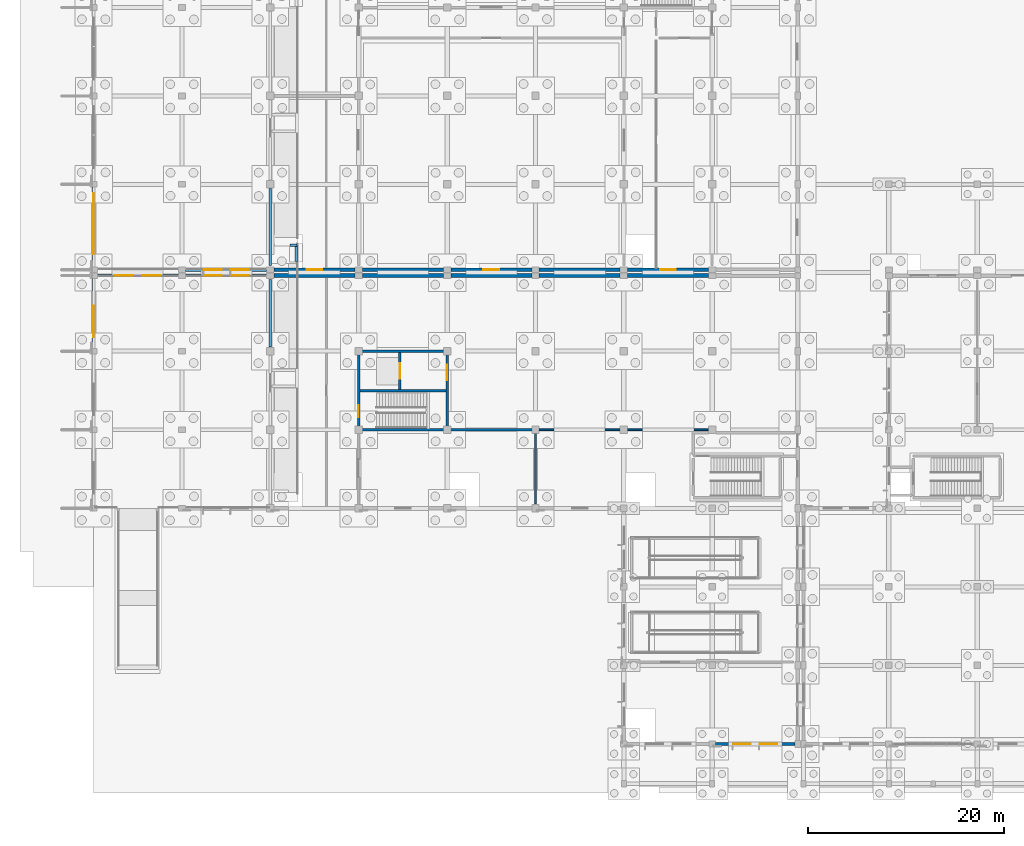
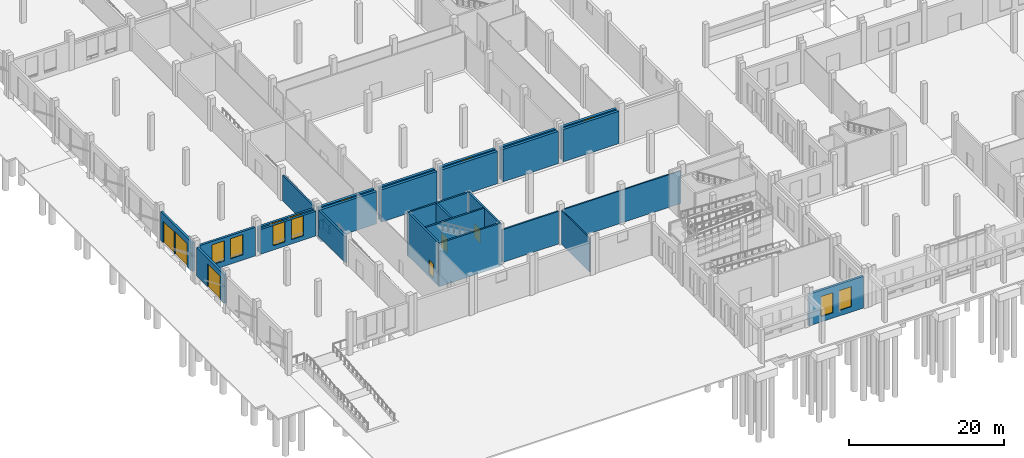
# One storey, part 56 of 99: 29 walls, 11 windows, 6 doors, 17 openings.
"""IFC4 building model written with IfcOpenShell, lengths in metres."""

from ifc_helpers import new_model, si_unit, direction, frame, frame_2d, origin, place, context, subcontext, project, spatial, rectangle, extrude, material, layer, layer_set, type_object, element, fill, save


model = new_model("IFC4")

# Units and contexts
model_context = context("Model", 3, precision=1e-05, world=origin(), true_north=direction((0.0, 1.0)))
body_context = subcontext(model_context, "Body", "Model", "MODEL_VIEW")
ifc_project = project(units=[si_unit("LENGTHUNIT", "METRE"), si_unit("AREAUNIT", "SQUARE_METRE"), si_unit("VOLUMEUNIT", "CUBIC_METRE"), si_unit("PLANEANGLEUNIT", "RADIAN"), si_unit("MASSUNIT", "GRAM", prefix="KILO")], contexts=[model_context])

# Site, building, storey
site_placement = place(None, origin())
site = spatial("IfcSite", under=ifc_project, at=site_placement, CompositionType="ELEMENT")
building_placement = place(site_placement, origin())
building = spatial("IfcBuilding", under=site, at=building_placement, Name="Zacnel Wholesale Market", CompositionType="ELEMENT")
storey_placement = place(building_placement, origin())
storey = spatial("IfcBuildingStorey", under=building, at=storey_placement, Name="L01", CompositionType="ELEMENT", Elevation=0.0)

# Walls
ifc_material_1 = material(Name="Concrete C40/50", Category="concrete")
ifc_layer_1 = layer(ifc_material_1, 0.2548828125)
ifc_layer_set_1 = layer_set([ifc_layer_1], Name="Concrete C40/50")
wall_type_1 = type_object("IfcWallType", Name="WL-COMP-FW250", PredefinedType="STANDARD", material=ifc_layer_set_1)
wall_1_placement = place(storey_placement, frame((18.0, 40.419921875, 1.22509765625), z_axis=(0.0, 0.0, 1.0), x_axis=(0.0, 1.0, 0.0)))
element("IfcWall", 1, at=wall_1_placement, inside=storey, type_object=wall_type_1, Name="EI-120 fire compartment barrier wall 05", PredefinedType="STANDARD", context=body_context, shape_type="SweptSolid", body=[
    extrude(rectangle(XDim=6.860107421875, YDim=0.2548828125, at=frame_2d((3.43017578125, 0.0))), origin(), (0.0, 0.0, 1.0), 4.10498046875),
])
wall_2_placement = place(storey_placement, frame((18.0, 48.719970703125, 1.22509765625), z_axis=(0.0, 0.0, 1.0), x_axis=(0.0, 1.0, 0.0)))
element("IfcWall", 2, at=wall_2_placement, inside=storey, type_object=wall_type_1, Name="EI-120 fire compartment barrier wall 06", PredefinedType="STANDARD", context=body_context, shape_type="SweptSolid", body=[
    extrude(rectangle(XDim=7.860107421875, YDim=0.2548828125, at=frame_2d((3.93017578125, 0.0))), origin(), (0.0, 0.0, 1.0), 3.954833984375),
])
ifc_material_2 = material(Name="Concrete C40/50", Category="concrete")
ifc_layer_2 = layer(ifc_material_2, 0.25)
ifc_layer_set_2 = layer_set([ifc_layer_2], Name="Concrete C40/50")
wall_type_2 = type_object("IfcWallType", Name="WL-CORE-SW250", PredefinedType="SOLIDWALL", material=ifc_layer_set_2)
for number, where, z_axis, x_axis, name in (
    (3, (26.875, 32.0, -0.5), (0.0, 0.0, 1.0), (1.0, 0.0, 0.0), "Core C3 south shear wall L01"),
    (4, (26.875, 40.0, -0.5), (0.0, 0.0, 1.0), (1.0, 0.0, 0.0), "Core C3 north shear wall L01"),
):
    element("IfcWall", number, at=place(storey_placement, frame(where, z_axis=z_axis, x_axis=x_axis)), inside=storey, type_object=wall_type_2, Name=name, PredefinedType="SOLIDWALL", context=body_context, shape_type="SweptSolid", body=[
        extrude(rectangle(XDim=9.25, YDim=0.25, at=frame_2d((4.625, 0.0))), origin(), (0.0, 0.0, 1.0), 6.800048828125),
    ])

# Wall, opening, door
wall_3_placement = place(storey_placement, frame((27.0, 32.125, -0.5), z_axis=(0.0, 0.0, 1.0), x_axis=(0.0, 1.0, 0.0)))
wall_3 = element("IfcWall", 5, at=wall_3_placement, inside=storey, type_object=wall_type_2, Name="Core C3 west shear wall L01", PredefinedType="SOLIDWALL", context=body_context, shape_type="SweptSolid", body=[
    extrude(rectangle(XDim=7.75, YDim=0.25, at=frame_2d((3.875, 0.0))), origin(), (0.0, 0.0, 1.0), 6.800048828125),
])
opening_1_placement = place(wall_3_placement, frame((1.14990234375, 0.0, 0.5)))
opening_1 = element("IfcOpeningElement", 6, at=opening_1_placement, cuts=wall_3, Name="Opening FD-01", PredefinedType="OPENING", context=body_context, shape_type="SweptSolid", body=[
    extrude(rectangle(XDim=1.199951171875, YDim=2.199951171875, at=frame_2d((0.60009765625, 1.10009765625))), frame((0.0, 0.135009765625, 0.0), z_axis=(0.0, -1.0, 0.0), x_axis=(1.0, 0.0, 0.0)), (0.0, 0.0, 1.0), 0.27001953125),
])
ifc_material_3 = material(Name="Galvanized steel", Category="steel")
door_type_1 = type_object("IfcDoorType", Name="DR-FIRE-STAIR-1200", OperationType="NOTDEFINED", PredefinedType="DOOR", material=ifc_material_3)
door_1_placement = place(opening_1_placement, origin())
door_1 = element("IfcDoor", 7, at=door_1_placement, inside=storey, type_object=door_type_1, Name="Protected stair fire door C3 L01", OperationType="SINGLE_SWING_LEFT", OverallHeight=2.199951171875, OverallWidth=1.199951171875, PredefinedType="DOOR", context=body_context, shape_type="SweptSolid", body=[
    extrude(rectangle(XDim=1.199951171875, YDim=2.199951171875, at=frame_2d((0.60009765625, 1.10009765625))), frame((0.0, 0.02490234375, 0.0), z_axis=(0.0, -1.0, 0.0), x_axis=(1.0, 0.0, 0.0)), (0.0, 0.0, 1.0), 0.050048828125),
])
fill(opening_1, door_1)

wall_4_placement = place(storey_placement, frame((36.0, 32.125, -0.5), z_axis=(0.0, 0.0, 1.0), x_axis=(0.0, 1.0, 0.0)))
wall_4 = element("IfcWall", 8, at=wall_4_placement, inside=storey, type_object=wall_type_2, Name="Core C3 east shear wall L01", PredefinedType="SOLIDWALL", context=body_context, shape_type="SweptSolid", body=[
    extrude(rectangle(XDim=7.75, YDim=0.25, at=frame_2d((3.875, 0.0))), origin(), (0.0, 0.0, 1.0), 6.800048828125),
])
opening_2_placement = place(wall_4_placement, frame((4.89990234375, 0.0, 0.5)))
opening_2 = element("IfcOpeningElement", 9, at=opening_2_placement, cuts=wall_4, Name="Opening FD-02", PredefinedType="OPENING", context=body_context, shape_type="SweptSolid", body=[
    extrude(rectangle(XDim=1.60009765625, YDim=2.199951171875, at=frame_2d((0.800048828125, 1.10009765625))), frame((0.0, 0.135009765625, 0.0), z_axis=(0.0, -1.0, 0.0), x_axis=(1.0, 0.0, 0.0)), (0.0, 0.0, 1.0), 0.27001953125),
])
ifc_material_4 = material(Name="Galvanized steel", Category="steel")
door_type_2 = type_object("IfcDoorType", Name="DR-FIRE-LOBBY-1600", OperationType="NOTDEFINED", PredefinedType="DOOR", material=ifc_material_4)
door_2_placement = place(opening_2_placement, origin())
door_2 = element("IfcDoor", 10, at=door_2_placement, inside=storey, type_object=door_type_2, Name="Core lift lobby fire door C3 L01", OperationType="SINGLE_SWING_RIGHT", OverallHeight=2.199951171875, OverallWidth=1.60009765625, PredefinedType="DOOR", context=body_context, shape_type="SweptSolid", body=[
    extrude(rectangle(XDim=1.60009765625, YDim=2.199951171875, at=frame_2d((0.800048828125, 1.10009765625))), frame((0.0, 0.02490234375, 0.0), z_axis=(0.0, -1.0, 0.0), x_axis=(1.0, 0.0, 0.0)), (0.0, 0.0, 1.0), 0.050048828125),
])
fill(opening_2, door_2)

# Wall
wall_5_placement = place(storey_placement, frame((27.125, 35.949951171875, -0.5), z_axis=(0.0, 0.0, 1.0), x_axis=(1.0, 0.0, 0.0)))
element("IfcWall", 11, at=wall_5_placement, inside=storey, type_object=wall_type_2, Name="Core C3 stair-shaft shear wall L01", PredefinedType="SOLIDWALL", context=body_context, shape_type="SweptSolid", body=[
    extrude(rectangle(XDim=8.75, YDim=0.25, at=frame_2d((4.375, 0.0))), origin(), (0.0, 0.0, 1.0), 6.800048828125),
])

# Wall, opening, door
wall_6_placement = place(storey_placement, frame((31.199951171875, 36.074951171875, -0.5), z_axis=(0.0, 0.0, 1.0), x_axis=(0.0, 1.0, 0.0)))
wall_6 = element("IfcWall", 12, at=wall_6_placement, inside=storey, type_object=wall_type_2, Name="Core C3 lift shaft front wall L01", PredefinedType="SOLIDWALL", context=body_context, shape_type="SweptSolid", body=[
    extrude(rectangle(XDim=3.800048828125, YDim=0.25, at=frame_2d((1.89990234375, 0.0))), origin(), (0.0, 0.0, 1.0), 6.800048828125),
])
opening_3_placement = place(wall_6_placement, frame((1.10009765625, 0.0, 0.5)))
opening_3 = element("IfcOpeningElement", 13, at=opening_3_placement, cuts=wall_6, Name="Opening LD-02", PredefinedType="OPENING", context=body_context, shape_type="SweptSolid", body=[
    extrude(rectangle(XDim=1.60009765625, YDim=2.39990234375, at=frame_2d((0.800048828125, 1.199951171875))), frame((0.0, 0.135009765625, 0.0), z_axis=(0.0, -1.0, 0.0), x_axis=(1.0, 0.0, 0.0)), (0.0, 0.0, 1.0), 0.27001953125),
])
ifc_material_5 = material(Name="Galvanized steel", Category="steel")
door_type_3 = type_object("IfcDoorType", Name="DR-LIFT-GOODS-1600", OperationType="NOTDEFINED", PredefinedType="DOOR", material=ifc_material_5)
door_3_placement = place(opening_3_placement, origin())
door_3 = element("IfcDoor", 14, at=door_3_placement, inside=storey, type_object=door_type_3, Name="Lift landing door LG-01 L01", OperationType="SLIDING_TO_LEFT", OverallHeight=2.39990234375, OverallWidth=1.60009765625, PredefinedType="DOOR", context=body_context, shape_type="SweptSolid", body=[
    extrude(rectangle(XDim=1.60009765625, YDim=2.39990234375, at=frame_2d((0.800048828125, 1.199951171875))), frame((0.0, 0.02490234375, 0.0), z_axis=(0.0, -1.0, 0.0), x_axis=(1.0, 0.0, 0.0)), (0.0, 0.0, 1.0), 0.050048828125),
])
fill(opening_3, door_3)

# Walls
wall_7_placement = place(storey_placement, frame((20.64990234375, 49.14990234375, -0.5), z_axis=(0.0, 0.0, 1.0), x_axis=(0.0, 1.0, 0.0)))
element("IfcWall", 15, at=wall_7_placement, inside=storey, type_object=wall_type_2, Name="Accessible ramp RP-01 (RMP-DOCK-S) east plinth wall", PredefinedType="SOLIDWALL", context=body_context, shape_type="SweptSolid", body=[
    extrude(rectangle(XDim=1.650146484375, YDim=0.25, at=frame_2d((0.8251953125, 0.0))), origin(), (0.0, 0.0, 1.0), 1.324951171875),
])
wall_8_placement = place(storey_placement, frame((20.0, 50.800048828125, -0.5), z_axis=(0.0, 0.0, 1.0), x_axis=(1.0, 0.0, 0.0)))
element("IfcWall", 16, at=wall_8_placement, inside=storey, type_object=wall_type_2, Name="Accessible ramp RP-01 (RMP-DOCK-S) north plinth wall", PredefinedType="SOLIDWALL", context=body_context, shape_type="SweptSolid", body=[
    extrude(rectangle(XDim=0.699951171875, YDim=0.25, at=frame_2d((0.35009765625, 0.0))), origin(), (0.0, 0.0, 1.0), 1.324951171875),
])

# Wall, openings, windows
ifc_material_6 = material(Name="Precast concrete C40/50 (insulated sandwich panel)", Category="concrete")
ifc_layer_3 = layer(ifc_material_6, 0.320068359375)
ifc_layer_set_3 = layer_set([ifc_layer_3], Name="Precast concrete C40/50 (insulated sandwich panel)")
wall_type_3 = type_object("IfcWallType", Name="WL-EXT-COLD-320", PredefinedType="SOLIDWALL", material=ifc_layer_set_3)
wall_9_placement = place(storey_placement, frame((0.375, 47.699951171875, 1.22509765625), z_axis=(0.0, 0.0, 1.0), x_axis=(1.0, 0.0, 0.0)))
wall_9 = element("IfcWall", 17, at=wall_9_placement, inside=storey, type_object=wall_type_3, Name="Exterior wall L01-0002", PredefinedType="SOLIDWALL", context=body_context, shape_type="SweptSolid", body=[
    extrude(rectangle(XDim=8.25, YDim=0.320068359375, at=frame_2d((4.125, 0.0))), origin(), (0.0, 0.0, 1.0), 4.514892578125),
])
opening_4_placement = place(wall_9_placement, frame((1.85009765625, 0.0, 0.85009765625)))
opening_4 = element("IfcOpeningElement", 18, at=opening_4_placement, cuts=wall_9, Name="Opening W-03", PredefinedType="OPENING", context=body_context, shape_type="SweptSolid", body=[
    extrude(rectangle(XDim=1.800048828125, YDim=3.14990234375, at=frame_2d((0.89990234375, 1.574951171875))), frame((0.0, 0.169921875, 0.0), z_axis=(0.0, -1.0, 0.0), x_axis=(1.0, 0.0, 0.0)), (0.0, 0.0, 1.0), 0.340087890625),
])
opening_5_placement = place(wall_9_placement, frame((4.60009765625, 0.0, 0.85009765625)))
opening_5 = element("IfcOpeningElement", 19, at=opening_5_placement, cuts=wall_9, Name="Opening W-03", PredefinedType="OPENING", context=body_context, shape_type="SweptSolid", body=[
    extrude(rectangle(XDim=1.800048828125, YDim=3.14990234375, at=frame_2d((0.89990234375, 1.574951171875))), frame((0.0, 0.169921875, 0.0), z_axis=(0.0, -1.0, 0.0), x_axis=(1.0, 0.0, 0.0)), (0.0, 0.0, 1.0), 0.340087890625),
])
ifc_material_7 = material(Name="Laminated hurricane-impact low-E insulated glass", Category="glass")
window_type_1 = type_object("IfcWindowType", Name="WIN-DEC-1800X3150", PartitioningType="DOUBLE_PANEL_VERTICAL", PredefinedType="WINDOW", material=ifc_material_7)
window_1_placement = place(opening_4_placement, origin())
window_1 = element("IfcWindow", 20, at=window_1_placement, inside=storey, type_object=window_type_1, Name="Window L01-0003", OverallHeight=3.14990234375, OverallWidth=1.800048828125, PartitioningType="DOUBLE_PANEL_VERTICAL", PredefinedType="WINDOW", context=body_context, shape_type="SweptSolid", body=[
    extrude(rectangle(XDim=1.800048828125, YDim=3.14990234375, at=frame_2d((0.89990234375, 1.574951171875))), frame((0.0, 0.030029296875, 0.0), z_axis=(0.0, -1.0, 0.0), x_axis=(1.0, 0.0, 0.0)), (0.0, 0.0, 1.0), 0.06005859375),
])
fill(opening_4, window_1)
window_2_placement = place(opening_5_placement, origin())
window_2 = element("IfcWindow", 21, at=window_2_placement, inside=storey, type_object=window_type_1, Name="Window L01-0004", OverallHeight=3.14990234375, OverallWidth=1.800048828125, PartitioningType="DOUBLE_PANEL_VERTICAL", PredefinedType="WINDOW", context=body_context, shape_type="SweptSolid", body=[
    extrude(rectangle(XDim=1.800048828125, YDim=3.14990234375, at=frame_2d((0.89990234375, 1.574951171875))), frame((0.0, 0.030029296875, 0.0), z_axis=(0.0, -1.0, 0.0), x_axis=(1.0, 0.0, 0.0)), (0.0, 0.0, 1.0), 0.06005859375),
])
fill(opening_5, window_2)

wall_10_placement = place(storey_placement, frame((9.375, 47.699951171875, 1.22509765625), z_axis=(0.0, 0.0, 1.0), x_axis=(1.0, 0.0, 0.0)))
wall_10 = element("IfcWall", 22, at=wall_10_placement, inside=storey, type_object=wall_type_3, Name="Exterior wall L01-0003", PredefinedType="SOLIDWALL", context=body_context, shape_type="SweptSolid", body=[
    extrude(rectangle(XDim=8.25, YDim=0.320068359375, at=frame_2d((4.125, 0.0))), origin(), (0.0, 0.0, 1.0), 3.875),
])
opening_6_placement = place(wall_10_placement, frame((1.85009765625, 0.0, 0.68505859375)))
opening_6 = element("IfcOpeningElement", 23, at=opening_6_placement, cuts=wall_10, Name="Opening W-03", PredefinedType="OPENING", context=body_context, shape_type="SweptSolid", body=[
    extrude(rectangle(XDim=1.800048828125, YDim=3.14990234375, at=frame_2d((0.89990234375, 1.574951171875))), frame((0.0, 0.169921875, 0.0), z_axis=(0.0, -1.0, 0.0), x_axis=(1.0, 0.0, 0.0)), (0.0, 0.0, 1.0), 0.340087890625),
])
opening_7_placement = place(wall_10_placement, frame((4.60009765625, 0.0, 0.68505859375)))
opening_7 = element("IfcOpeningElement", 24, at=opening_7_placement, cuts=wall_10, Name="Opening W-03", PredefinedType="OPENING", context=body_context, shape_type="SweptSolid", body=[
    extrude(rectangle(XDim=1.800048828125, YDim=3.14990234375, at=frame_2d((0.89990234375, 1.574951171875))), frame((0.0, 0.169921875, 0.0), z_axis=(0.0, -1.0, 0.0), x_axis=(1.0, 0.0, 0.0)), (0.0, 0.0, 1.0), 0.340087890625),
])
window_3_placement = place(opening_6_placement, origin())
window_3 = element("IfcWindow", 25, at=window_3_placement, inside=storey, type_object=window_type_1, Name="Window L01-0005", OverallHeight=3.14990234375, OverallWidth=1.800048828125, PartitioningType="DOUBLE_PANEL_VERTICAL", PredefinedType="WINDOW", context=body_context, shape_type="SweptSolid", body=[
    extrude(rectangle(XDim=1.800048828125, YDim=3.14990234375, at=frame_2d((0.89990234375, 1.574951171875))), frame((0.0, 0.030029296875, 0.0), z_axis=(0.0, -1.0, 0.0), x_axis=(1.0, 0.0, 0.0)), (0.0, 0.0, 1.0), 0.06005859375),
])
fill(opening_6, window_3)
window_4_placement = place(opening_7_placement, origin())
window_4 = element("IfcWindow", 26, at=window_4_placement, inside=storey, type_object=window_type_1, Name="Window L01-0006", OverallHeight=3.14990234375, OverallWidth=1.800048828125, PartitioningType="DOUBLE_PANEL_VERTICAL", PredefinedType="WINDOW", context=body_context, shape_type="SweptSolid", body=[
    extrude(rectangle(XDim=1.800048828125, YDim=3.14990234375, at=frame_2d((0.89990234375, 1.574951171875))), frame((0.0, 0.030029296875, 0.0), z_axis=(0.0, -1.0, 0.0), x_axis=(1.0, 0.0, 0.0)), (0.0, 0.0, 1.0), 0.06005859375),
])
fill(opening_7, window_4)

# Wall, opening, door
wall_11_placement = place(storey_placement, frame((0.0, 40.300048828125, 1.22509765625), z_axis=(0.0, 0.0, 1.0), x_axis=(0.0, 1.0, 0.0)))
wall_11 = element("IfcWall", 27, at=wall_11_placement, inside=storey, type_object=wall_type_3, Name="Exterior wall L01-0006", PredefinedType="SOLIDWALL", context=body_context, shape_type="SweptSolid", body=[
    extrude(rectangle(XDim=7.125, YDim=0.320068359375, at=frame_2d((3.5625, 0.0))), origin(), (0.0, 0.0, 1.0), 4.514892578125),
])
opening_8_placement = place(wall_11_placement, frame((1.139892578125, 0.0, 0.0)))
opening_8 = element("IfcOpeningElement", 28, at=opening_8_placement, cuts=wall_11, Name="Opening GD-320", PredefinedType="OPENING", context=body_context, shape_type="SweptSolid", body=[
    extrude(rectangle(XDim=3.199951171875, YDim=3.60009765625, at=frame_2d((1.60009765625, 1.800048828125))), frame((0.0, 0.169921875, 0.0), z_axis=(0.0, -1.0, 0.0), x_axis=(1.0, 0.0, 0.0)), (0.0, 0.0, 1.0), 0.340087890625),
])
ifc_material_8 = material(Name="Galvanized steel S355", Category="steel")
door_type_4 = type_object("IfcDoorType", Name="DR-DOCK-ROLL-3200", OperationType="NOTDEFINED", PredefinedType="GATE", material=ifc_material_8)
door_4_placement = place(opening_8_placement, origin())
door_4 = element("IfcDoor", 29, at=door_4_placement, inside=storey, type_object=door_type_4, Name="Loading dock shutter 03", OperationType="ROLLINGUP", OverallHeight=3.60009765625, OverallWidth=3.199951171875, PredefinedType="GATE", context=body_context, shape_type="SweptSolid", body=[
    extrude(rectangle(XDim=3.199951171875, YDim=3.60009765625, at=frame_2d((1.60009765625, 1.800048828125))), frame((0.0, 0.02490234375, 0.0), z_axis=(0.0, -1.0, 0.0), x_axis=(1.0, 0.0, 0.0)), (0.0, 0.0, 1.0), 0.050048828125),
])
fill(opening_8, door_4)

# Wall, openings, windows
wall_12_placement = place(storey_placement, frame((9.375, 48.300048828125, 1.22509765625), z_axis=(0.0, 0.0, 1.0), x_axis=(1.0, 0.0, 0.0)))
wall_12 = element("IfcWall", 30, at=wall_12_placement, inside=storey, type_object=wall_type_3, Name="Exterior wall L01-0007", PredefinedType="SOLIDWALL", context=body_context, shape_type="SweptSolid", body=[
    extrude(rectangle(XDim=8.25, YDim=0.320068359375, at=frame_2d((4.125, 0.0))), origin(), (0.0, 0.0, 1.0), 3.875),
])
opening_9_placement = place(wall_12_placement, frame((1.85009765625, 0.0, 0.68505859375)))
opening_9 = element("IfcOpeningElement", 31, at=opening_9_placement, cuts=wall_12, Name="Opening W-03", PredefinedType="OPENING", context=body_context, shape_type="SweptSolid", body=[
    extrude(rectangle(XDim=1.800048828125, YDim=3.14990234375, at=frame_2d((0.89990234375, 1.574951171875))), frame((0.0, 0.169921875, 0.0), z_axis=(0.0, -1.0, 0.0), x_axis=(1.0, 0.0, 0.0)), (0.0, 0.0, 1.0), 0.340087890625),
])
opening_10_placement = place(wall_12_placement, frame((4.60009765625, 0.0, 0.68505859375)))
opening_10 = element("IfcOpeningElement", 32, at=opening_10_placement, cuts=wall_12, Name="Opening W-03", PredefinedType="OPENING", context=body_context, shape_type="SweptSolid", body=[
    extrude(rectangle(XDim=1.800048828125, YDim=3.14990234375, at=frame_2d((0.89990234375, 1.574951171875))), frame((0.0, 0.169921875, 0.0), z_axis=(0.0, -1.0, 0.0), x_axis=(1.0, 0.0, 0.0)), (0.0, 0.0, 1.0), 0.340087890625),
])
window_5_placement = place(opening_9_placement, origin())
window_5 = element("IfcWindow", 33, at=window_5_placement, inside=storey, type_object=window_type_1, Name="Window L01-0007", OverallHeight=3.14990234375, OverallWidth=1.800048828125, PartitioningType="DOUBLE_PANEL_VERTICAL", PredefinedType="WINDOW", context=body_context, shape_type="SweptSolid", body=[
    extrude(rectangle(XDim=1.800048828125, YDim=3.14990234375, at=frame_2d((0.89990234375, 1.574951171875))), frame((0.0, 0.030029296875, 0.0), z_axis=(0.0, -1.0, 0.0), x_axis=(1.0, 0.0, 0.0)), (0.0, 0.0, 1.0), 0.06005859375),
])
fill(opening_9, window_5)
window_6_placement = place(opening_10_placement, origin())
window_6 = element("IfcWindow", 34, at=window_6_placement, inside=storey, type_object=window_type_1, Name="Window L01-0008", OverallHeight=3.14990234375, OverallWidth=1.800048828125, PartitioningType="DOUBLE_PANEL_VERTICAL", PredefinedType="WINDOW", context=body_context, shape_type="SweptSolid", body=[
    extrude(rectangle(XDim=1.800048828125, YDim=3.14990234375, at=frame_2d((0.89990234375, 1.574951171875))), frame((0.0, 0.030029296875, 0.0), z_axis=(0.0, -1.0, 0.0), x_axis=(1.0, 0.0, 0.0)), (0.0, 0.0, 1.0), 0.06005859375),
])
fill(opening_10, window_6)

# Wall, openings, doors
wall_13_placement = place(storey_placement, frame((0.0, 48.574951171875, 1.22509765625), z_axis=(0.0, 0.0, 1.0), x_axis=(0.0, 1.0, 0.0)))
wall_13 = element("IfcWall", 35, at=wall_13_placement, inside=storey, type_object=wall_type_3, Name="Exterior wall L01-0010", PredefinedType="SOLIDWALL", context=body_context, shape_type="SweptSolid", body=[
    extrude(rectangle(XDim=8.125, YDim=0.320068359375, at=frame_2d((4.0625, 0.0))), origin(), (0.0, 0.0, 1.0), 4.514892578125),
])
opening_11_placement = place(wall_13_placement, frame((1.300048828125, 0.0, 0.0)))
opening_11 = element("IfcOpeningElement", 36, at=opening_11_placement, cuts=wall_13, Name="Opening GD-320", PredefinedType="OPENING", context=body_context, shape_type="SweptSolid", body=[
    extrude(rectangle(XDim=3.199951171875, YDim=3.60009765625, at=frame_2d((1.60009765625, 1.800048828125))), frame((0.0, 0.169921875, 0.0), z_axis=(0.0, -1.0, 0.0), x_axis=(1.0, 0.0, 0.0)), (0.0, 0.0, 1.0), 0.340087890625),
])
opening_12_placement = place(wall_13_placement, frame((4.7119140625, 0.0, 0.0)))
opening_12 = element("IfcOpeningElement", 37, at=opening_12_placement, cuts=wall_13, Name="Opening GD-280", PredefinedType="OPENING", context=body_context, shape_type="SweptSolid", body=[
    extrude(rectangle(XDim=2.800048828125, YDim=3.39990234375, at=frame_2d((1.39990234375, 1.699951171875))), frame((0.0, 0.169921875, 0.0), z_axis=(0.0, -1.0, 0.0), x_axis=(1.0, 0.0, 0.0)), (0.0, 0.0, 1.0), 0.340087890625),
])
ifc_material_9 = material(Name="Galvanized steel S355", Category="steel")
door_type_5 = type_object("IfcDoorType", Name="DR-DOCK-ROLL-2800", OperationType="NOTDEFINED", PredefinedType="GATE", material=ifc_material_9)
door_5_placement = place(opening_12_placement, origin())
door_5 = element("IfcDoor", 38, at=door_5_placement, inside=storey, type_object=door_type_5, Name="Loading dock shutter 05", OperationType="ROLLINGUP", OverallHeight=3.39990234375, OverallWidth=2.800048828125, PredefinedType="GATE", context=body_context, shape_type="SweptSolid", body=[
    extrude(rectangle(XDim=2.800048828125, YDim=3.39990234375, at=frame_2d((1.39990234375, 1.699951171875))), frame((0.0, 0.02490234375, 0.0), z_axis=(0.0, -1.0, 0.0), x_axis=(1.0, 0.0, 0.0)), (0.0, 0.0, 1.0), 0.050048828125),
])
fill(opening_12, door_5)
door_6_placement = place(opening_11_placement, origin())
door_6 = element("IfcDoor", 39, at=door_6_placement, inside=storey, type_object=door_type_4, Name="Loading dock shutter 04", OperationType="ROLLINGUP", OverallHeight=3.60009765625, OverallWidth=3.199951171875, PredefinedType="GATE", context=body_context, shape_type="SweptSolid", body=[
    extrude(rectangle(XDim=3.199951171875, YDim=3.60009765625, at=frame_2d((1.60009765625, 1.800048828125))), frame((0.0, 0.02490234375, 0.0), z_axis=(0.0, -1.0, 0.0), x_axis=(1.0, 0.0, 0.0)), (0.0, 0.0, 1.0), 0.050048828125),
])
fill(opening_11, door_6)

# Walls
ifc_material_10 = material(Name="Precast concrete C40/50 (insulated sandwich panel)", Category="concrete")
ifc_layer_4 = layer(ifc_material_10, 0.3798828125)
ifc_layer_set_4 = layer_set([ifc_layer_4], Name="Precast concrete C40/50 (insulated sandwich panel)")
wall_type_4 = type_object("IfcWallType", Name="WL-EXT-COLD-380", PredefinedType="SOLIDWALL", material=ifc_layer_set_4)
for number, where, z_axis, x_axis, name in (
    (40, (18.375, 47.699951171875, 0.0), (0.0, 0.0, 1.0), (1.0, 0.0, 0.0), "Exterior wall L01-0026"),
    (41, (27.375, 47.699951171875, 0.0), (0.0, 0.0, 1.0), (1.0, 0.0, 0.0), "Exterior wall L01-0027"),
    (42, (36.375, 47.699951171875, 0.0), (0.0, 0.0, 1.0), (1.0, 0.0, 0.0), "Exterior wall L01-0028"),
    (43, (45.375, 47.699951171875, 0.0), (0.0, 0.0, 1.0), (1.0, 0.0, 0.0), "Exterior wall L01-0029"),
    (44, (54.375, 47.699951171875, 0.0), (0.0, 0.0, 1.0), (1.0, 0.0, 0.0), "Exterior wall L01-0030"),
):
    element("IfcWall", number, at=place(storey_placement, frame(where, z_axis=z_axis, x_axis=x_axis)), inside=storey, type_object=wall_type_4, Name=name, PredefinedType="SOLIDWALL", context=body_context, shape_type="SweptSolid", body=[
        extrude(rectangle(XDim=8.25, YDim=0.3798828125, at=frame_2d((4.125, 0.0))), origin(), (0.0, 0.0, 1.0), 5.080078125),
    ])

# Wall, opening, window
wall_14_placement = place(storey_placement, frame((18.375, 48.300048828125, 0.0), z_axis=(0.0, 0.0, 1.0), x_axis=(1.0, 0.0, 0.0)))
wall_14 = element("IfcWall", 45, at=wall_14_placement, inside=storey, type_object=wall_type_4, Name="Exterior wall L01-0035", PredefinedType="SOLIDWALL", context=body_context, shape_type="SweptSolid", body=[
    extrude(rectangle(XDim=8.25, YDim=0.3798828125, at=frame_2d((4.125, 0.0))), origin(), (0.0, 0.0, 1.0), 5.080078125),
])
opening_13_placement = place(wall_14_placement, frame((3.324951171875, 0.0, 3.590087890625)))
opening_13 = element("IfcOpeningElement", 46, at=opening_13_placement, cuts=wall_14, Name="Opening W-06", PredefinedType="OPENING", context=body_context, shape_type="SweptSolid", body=[
    extrude(rectangle(XDim=1.60009765625, YDim=1.449951171875, at=frame_2d((0.800048828125, 0.72509765625))), frame((0.0, 0.199951171875, 0.0), z_axis=(0.0, -1.0, 0.0), x_axis=(1.0, 0.0, 0.0)), (0.0, 0.0, 1.0), 0.39990234375),
])
ifc_material_11 = material(Name="Laminated hurricane-impact low-E insulated glass", Category="glass")
window_type_2 = type_object("IfcWindowType", Name="WIN-HIG-1600X1450", PartitioningType="DOUBLE_PANEL_HORIZONTAL", PredefinedType="WINDOW", material=ifc_material_11)
window_7_placement = place(opening_13_placement, origin())
window_7 = element("IfcWindow", 47, at=window_7_placement, inside=storey, type_object=window_type_2, Name="Window L01-0022", OverallHeight=1.449951171875, OverallWidth=1.60009765625, PartitioningType="DOUBLE_PANEL_HORIZONTAL", PredefinedType="WINDOW", context=body_context, shape_type="SweptSolid", body=[
    extrude(rectangle(XDim=1.60009765625, YDim=1.449951171875, at=frame_2d((0.800048828125, 0.72509765625))), frame((0.0, 0.030029296875, 0.0), z_axis=(0.0, -1.0, 0.0), x_axis=(1.0, 0.0, 0.0)), (0.0, 0.0, 1.0), 0.06005859375),
])
fill(opening_13, window_7)

# Wall
wall_15_placement = place(storey_placement, frame((27.375, 48.300048828125, 0.0), z_axis=(0.0, 0.0, 1.0), x_axis=(1.0, 0.0, 0.0)))
element("IfcWall", 48, at=wall_15_placement, inside=storey, type_object=wall_type_4, Name="Exterior wall L01-0036", PredefinedType="SOLIDWALL", context=body_context, shape_type="SweptSolid", body=[
    extrude(rectangle(XDim=8.25, YDim=0.3798828125, at=frame_2d((4.125, 0.0))), origin(), (0.0, 0.0, 1.0), 5.080078125),
])

# Wall, opening, window
wall_16_placement = place(storey_placement, frame((36.375, 48.300048828125, 0.0), z_axis=(0.0, 0.0, 1.0), x_axis=(1.0, 0.0, 0.0)))
wall_16 = element("IfcWall", 49, at=wall_16_placement, inside=storey, type_object=wall_type_4, Name="Exterior wall L01-0037", PredefinedType="SOLIDWALL", context=body_context, shape_type="SweptSolid", body=[
    extrude(rectangle(XDim=8.25, YDim=0.3798828125, at=frame_2d((4.125, 0.0))), origin(), (0.0, 0.0, 1.0), 5.080078125),
])
opening_14_placement = place(wall_16_placement, frame((3.324951171875, 0.0, 3.590087890625)))
opening_14 = element("IfcOpeningElement", 50, at=opening_14_placement, cuts=wall_16, Name="Opening W-06", PredefinedType="OPENING", context=body_context, shape_type="SweptSolid", body=[
    extrude(rectangle(XDim=1.60009765625, YDim=1.449951171875, at=frame_2d((0.800048828125, 0.72509765625))), frame((0.0, 0.199951171875, 0.0), z_axis=(0.0, -1.0, 0.0), x_axis=(1.0, 0.0, 0.0)), (0.0, 0.0, 1.0), 0.39990234375),
])
window_8_placement = place(opening_14_placement, origin())
window_8 = element("IfcWindow", 51, at=window_8_placement, inside=storey, type_object=window_type_2, Name="Window L01-0023", OverallHeight=1.449951171875, OverallWidth=1.60009765625, PartitioningType="DOUBLE_PANEL_HORIZONTAL", PredefinedType="WINDOW", context=body_context, shape_type="SweptSolid", body=[
    extrude(rectangle(XDim=1.60009765625, YDim=1.449951171875, at=frame_2d((0.800048828125, 0.72509765625))), frame((0.0, 0.030029296875, 0.0), z_axis=(0.0, -1.0, 0.0), x_axis=(1.0, 0.0, 0.0)), (0.0, 0.0, 1.0), 0.06005859375),
])
fill(opening_14, window_8)

# Wall
wall_17_placement = place(storey_placement, frame((45.375, 48.300048828125, 0.0), z_axis=(0.0, 0.0, 1.0), x_axis=(1.0, 0.0, 0.0)))
element("IfcWall", 52, at=wall_17_placement, inside=storey, type_object=wall_type_4, Name="Exterior wall L01-0038", PredefinedType="SOLIDWALL", context=body_context, shape_type="SweptSolid", body=[
    extrude(rectangle(XDim=8.25, YDim=0.3798828125, at=frame_2d((4.125, 0.0))), origin(), (0.0, 0.0, 1.0), 5.080078125),
])

# Wall, opening, window
wall_18_placement = place(storey_placement, frame((54.375, 48.300048828125, 0.0), z_axis=(0.0, 0.0, 1.0), x_axis=(1.0, 0.0, 0.0)))
wall_18 = element("IfcWall", 53, at=wall_18_placement, inside=storey, type_object=wall_type_4, Name="Exterior wall L01-0039", PredefinedType="SOLIDWALL", context=body_context, shape_type="SweptSolid", body=[
    extrude(rectangle(XDim=8.25, YDim=0.3798828125, at=frame_2d((4.125, 0.0))), origin(), (0.0, 0.0, 1.0), 5.080078125),
])
opening_15_placement = place(wall_18_placement, frame((3.324951171875, 0.0, 3.590087890625)))
opening_15 = element("IfcOpeningElement", 54, at=opening_15_placement, cuts=wall_18, Name="Opening W-06", PredefinedType="OPENING", context=body_context, shape_type="SweptSolid", body=[
    extrude(rectangle(XDim=1.60009765625, YDim=1.449951171875, at=frame_2d((0.800048828125, 0.72509765625))), frame((0.0, 0.199951171875, 0.0), z_axis=(0.0, -1.0, 0.0), x_axis=(1.0, 0.0, 0.0)), (0.0, 0.0, 1.0), 0.39990234375),
])
window_9_placement = place(opening_15_placement, origin())
window_9 = element("IfcWindow", 55, at=window_9_placement, inside=storey, type_object=window_type_2, Name="Window L01-0024", OverallHeight=1.449951171875, OverallWidth=1.60009765625, PartitioningType="DOUBLE_PANEL_HORIZONTAL", PredefinedType="WINDOW", context=body_context, shape_type="SweptSolid", body=[
    extrude(rectangle(XDim=1.60009765625, YDim=1.449951171875, at=frame_2d((0.800048828125, 0.72509765625))), frame((0.0, 0.030029296875, 0.0), z_axis=(0.0, -1.0, 0.0), x_axis=(1.0, 0.0, 0.0)), (0.0, 0.0, 1.0), 0.06005859375),
])
fill(opening_15, window_9)

# Wall, openings, windows
ifc_material_12 = material(Name="Precast concrete C40/50 (Cancun limestone aggregate)", Category="masonry")
ifc_layer_5 = layer(ifc_material_12, 0.340087890625)
ifc_layer_set_5 = layer_set([ifc_layer_5], Name="Precast concrete C40/50 (Cancun limestone aggregate)")
wall_type_5 = type_object("IfcWallType", Name="WL-EXT-LIME-340", PredefinedType="SOLIDWALL", material=ifc_layer_set_5)
wall_19_placement = place(storey_placement, frame((63.324951171875, 0.0, 0.0), z_axis=(0.0, 0.0, 1.0), x_axis=(1.0, 0.0, 0.0)))
wall_19 = element("IfcWall", 56, at=wall_19_placement, inside=storey, type_object=wall_type_5, Name="Exterior wall L01-0069", PredefinedType="SOLIDWALL", context=body_context, shape_type="SweptSolid", body=[
    extrude(rectangle(XDim=8.10009765625, YDim=0.340087890625, at=frame_2d((4.050048828125, 0.0))), origin(), (0.0, 0.0, 1.0), 4.97998046875),
])
opening_16_placement = place(wall_19_placement, frame((1.800048828125, 0.0, 0.85009765625)))
opening_16 = element("IfcOpeningElement", 57, at=opening_16_placement, cuts=wall_19, Name="Opening W-03", PredefinedType="OPENING", context=body_context, shape_type="SweptSolid", body=[
    extrude(rectangle(XDim=1.800048828125, YDim=3.14990234375, at=frame_2d((0.89990234375, 1.574951171875))), frame((0.0, 0.179931640625, 0.0), z_axis=(0.0, -1.0, 0.0), x_axis=(1.0, 0.0, 0.0)), (0.0, 0.0, 1.0), 0.360107421875),
])
opening_17_placement = place(wall_19_placement, frame((4.5, 0.0, 0.85009765625)))
opening_17 = element("IfcOpeningElement", 58, at=opening_17_placement, cuts=wall_19, Name="Opening W-03", PredefinedType="OPENING", context=body_context, shape_type="SweptSolid", body=[
    extrude(rectangle(XDim=1.800048828125, YDim=3.14990234375, at=frame_2d((0.89990234375, 1.574951171875))), frame((0.0, 0.179931640625, 0.0), z_axis=(0.0, -1.0, 0.0), x_axis=(1.0, 0.0, 0.0)), (0.0, 0.0, 1.0), 0.360107421875),
])
window_10_placement = place(opening_16_placement, origin())
window_10 = element("IfcWindow", 59, at=window_10_placement, inside=storey, type_object=window_type_1, Name="Window L01-0036", OverallHeight=3.14990234375, OverallWidth=1.800048828125, PartitioningType="DOUBLE_PANEL_VERTICAL", PredefinedType="WINDOW", context=body_context, shape_type="SweptSolid", body=[
    extrude(rectangle(XDim=1.800048828125, YDim=3.14990234375, at=frame_2d((0.89990234375, 1.574951171875))), frame((0.0, 0.030029296875, 0.0), z_axis=(0.0, -1.0, 0.0), x_axis=(1.0, 0.0, 0.0)), (0.0, 0.0, 1.0), 0.06005859375),
])
fill(opening_16, window_10)
window_11_placement = place(opening_17_placement, origin())
window_11 = element("IfcWindow", 60, at=window_11_placement, inside=storey, type_object=window_type_1, Name="Window L01-0037", OverallHeight=3.14990234375, OverallWidth=1.800048828125, PartitioningType="DOUBLE_PANEL_VERTICAL", PredefinedType="WINDOW", context=body_context, shape_type="SweptSolid", body=[
    extrude(rectangle(XDim=1.800048828125, YDim=3.14990234375, at=frame_2d((0.89990234375, 1.574951171875))), frame((0.0, 0.030029296875, 0.0), z_axis=(0.0, -1.0, 0.0), x_axis=(1.0, 0.0, 0.0)), (0.0, 0.0, 1.0), 0.06005859375),
])
fill(opening_17, window_11)

# Walls
ifc_material_13 = material(Name="Concrete blockwork masonry", Category="masonry")
ifc_layer_6 = layer(ifc_material_13, 0.1650390625)
ifc_layer_set_6 = layer_set([ifc_layer_6], Name="Concrete blockwork masonry")
wall_type_6 = type_object("IfcWallType", Name="WL-PART-MAS165", PredefinedType="PARTITIONING", material=ifc_layer_set_6)
wall_20_placement = place(storey_placement, frame((45.0, 24.449951171875, 0.0), z_axis=(0.0, 0.0, 1.0), x_axis=(0.0, 1.0, 0.0)))
element("IfcWall", 61, at=wall_20_placement, inside=storey, type_object=wall_type_6, Name="Interior partition L01-0012", PredefinedType="PARTITIONING", context=body_context, shape_type="SweptSolid", body=[
    extrude(rectangle(XDim=7.25, YDim=0.1650390625, at=frame_2d((3.625, 0.0))), origin(), (0.0, 0.0, 1.0), 5.330078125),
])
ifc_material_14 = material(Name="Concrete blockwork masonry", Category="masonry")
ifc_layer_7 = layer(ifc_material_14, 0.199951171875)
ifc_layer_set_7 = layer_set([ifc_layer_7], Name="Concrete blockwork masonry")
wall_type_7 = type_object("IfcWallType", Name="WL-PART-MAS200", PredefinedType="PARTITIONING", material=ifc_layer_set_7)
wall_21_placement = place(storey_placement, frame((45.300048828125, 32.0, 0.0), z_axis=(0.0, 0.0, 1.0), x_axis=(1.0, 0.0, 0.0)))
element("IfcWall", 62, at=wall_21_placement, inside=storey, type_object=wall_type_7, Name="Interior partition L01-0014", PredefinedType="PARTITIONING", context=body_context, shape_type="SweptSolid", body=[
    extrude(rectangle(XDim=17.550048828125, YDim=0.199951171875, at=frame_2d((8.77490234375, 0.0))), origin(), (0.0, 0.0, 1.0), 5.1298828125),
])
ifc_material_15 = material(Name="Concrete blockwork masonry", Category="masonry")
ifc_layer_8 = layer(ifc_material_15, 0.22509765625)
ifc_layer_set_8 = layer_set([ifc_layer_8], Name="Concrete blockwork masonry")
wall_type_8 = type_object("IfcWallType", Name="WL-PART-MAS225", PredefinedType="PARTITIONING", material=ifc_layer_set_8)
wall_22_placement = place(storey_placement, frame((36.300048828125, 32.0, 0.0), z_axis=(0.0, 0.0, 1.0), x_axis=(1.0, 0.0, 0.0)))
element("IfcWall", 63, at=wall_22_placement, inside=storey, type_object=wall_type_8, Name="Interior partition L01-0013", PredefinedType="PARTITIONING", context=body_context, shape_type="SweptSolid", body=[
    extrude(rectangle(XDim=8.39990234375, YDim=0.22509765625, at=frame_2d((4.199951171875, 0.0))), origin(), (0.0, 0.0, 1.0), 5.1298828125),
])

save(model, "model.ifc")
